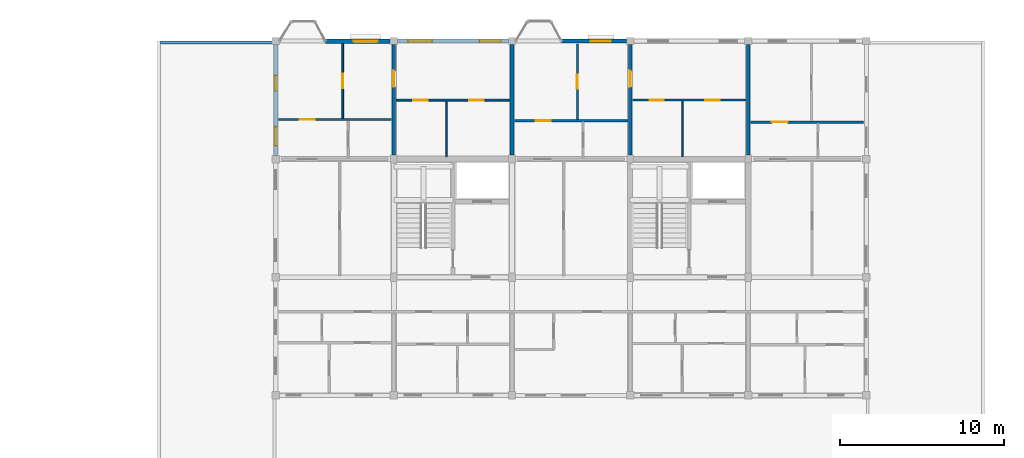
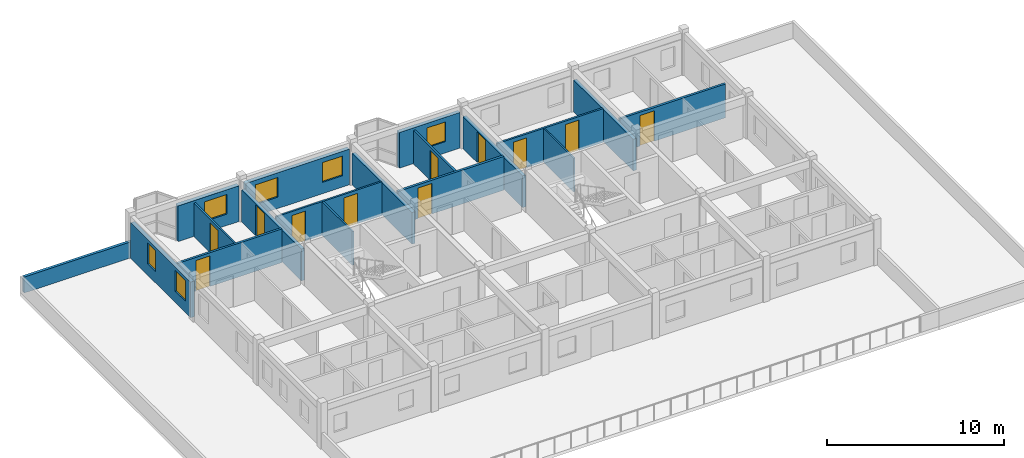
# One storey, part 35 of 40: 18 walls, 11 doors, 6 windows, 17 openings.
"""IFC4 building model written with IfcOpenShell, lengths in metres."""

from ifc_helpers import new_model, si_unit, direction, frame, frame_2d, origin, place, context, subcontext, project, spatial, rectangle, extrude, material, layer, layer_set, type_object, element, fill, save


model = new_model("IFC4")

# Units and contexts
model_context = context("Model", 3, precision=1e-05, world=origin(), true_north=direction((0.0, 1.0)))
body_context = subcontext(model_context, "Body", "Model", "MODEL_VIEW")
ifc_project = project(units=[si_unit("LENGTHUNIT", "METRE"), si_unit("AREAUNIT", "SQUARE_METRE"), si_unit("VOLUMEUNIT", "CUBIC_METRE"), si_unit("PLANEANGLEUNIT", "RADIAN"), si_unit("MASSUNIT", "GRAM", prefix="KILO"), si_unit("THERMODYNAMICTEMPERATUREUNIT", "KELVIN"), si_unit("POWERUNIT", "WATT")], contexts=[model_context])

# Site, building, storey
site_placement = place(None, origin())
site = spatial("IfcSite", under=ifc_project, at=site_placement, CompositionType="ELEMENT")
building_placement = place(site_placement, origin())
building = spatial("IfcBuilding", under=site, at=building_placement, Name="Tavuni Mirador Residences", CompositionType="ELEMENT")
storey_placement = place(building_placement, frame((0.0, 0.0, 36.0)))
storey = spatial("IfcBuildingStorey", under=building, at=storey_placement, Name="L11", CompositionType="ELEMENT", Elevation=36.0)

# Wall, opening, window
ifc_material_1 = material(Name="Sgraffito lime-rendered precast concrete C40/50", Category="concrete")
ifc_layer_1 = layer(ifc_material_1, 0.2451171875, Name="Sgraffito lime-rendered precast concrete C40/50", Category="concrete")
ifc_layer_set_1 = layer_set([ifc_layer_1], Name="Sgraffito lime-rendered precast concrete C40/50")
wall_type_1 = type_object("IfcWallType", Name="WT-EXT-PC245", PredefinedType="SOLIDWALL", material=ifc_layer_set_1)
wall_1_placement = place(storey_placement, frame((39.375, 172.800048828125, 0.0), z_axis=(0.0, 0.0, 1.0), x_axis=(-1.0, 0.0, 0.0)))
wall_1 = element("IfcWall", 1, at=wall_1_placement, inside=storey, type_object=wall_type_1, Name="EW-BLK-C-L11-N02", PredefinedType="SOLIDWALL", context=body_context, shape_type="SweptSolid", body=[
    extrude(rectangle(XDim=3.955078125, YDim=0.2451171875, at=frame_2d((1.9775390625, 0.0))), origin(), (0.0, 0.0, 1.0), 2.455078125),
])
opening_1_placement = place(wall_1_placement, frame((0.9423828125, 0.0, 0.780029296875)))
opening_1 = element("IfcOpeningElement", 2, at=opening_1_placement, cuts=wall_1, Name="Opening WN-21", PredefinedType="OPENING", context=body_context, shape_type="SweptSolid", body=[
    extrude(rectangle(XDim=1.219970703125, YDim=1.360107421875, at=frame_2d((0.60986328125, 0.68017578125))), frame((0.0, 0.132568359375, 0.0), z_axis=(0.0, -1.0, 0.0), x_axis=(1.0, 0.0, 0.0)), (0.0, 0.0, 1.0), 0.26513671875),
])
ifc_material_2 = material(Name="Laminated solar-control glass", Category="glass")
window_type_1 = type_object("IfcWindowType", Name="WNT-21", PartitioningType="SINGLE_PANEL", PredefinedType="WINDOW", material=ifc_material_2)
window_1_placement = place(opening_1_placement, origin())
window_1 = element("IfcWindow", 3, at=window_1_placement, inside=storey, type_object=window_type_1, Name="WIN-1329", OverallHeight=1.360107421875, OverallWidth=1.219970703125, PartitioningType="SINGLE_PANEL", PredefinedType="WINDOW", context=body_context, shape_type="SweptSolid", body=[
    extrude(rectangle(XDim=1.219970703125, YDim=1.360107421875, at=frame_2d((0.60986328125, 0.68017578125))), frame((0.0, 0.030029296875, 0.0), z_axis=(0.0, -1.0, 0.0), x_axis=(1.0, 0.0, 0.0)), (0.0, 0.0, 1.0), 0.06005859375),
])
fill(opening_1, window_1)

# Wall, openings, windows
wall_2_placement = place(storey_placement, frame((18.0, 172.574951171875, 0.0), z_axis=(0.0, 0.0, 1.0), x_axis=(0.0, -1.0, 0.0)))
wall_2 = element("IfcWall", 4, at=wall_2_placement, inside=storey, type_object=wall_type_1, Name="EW-BLK-C-L11-W02", PredefinedType="SOLIDWALL", context=body_context, shape_type="SweptSolid", body=[
    extrude(rectangle(XDim=6.75, YDim=0.2451171875, at=frame_2d((3.375, 0.0))), origin(), (0.0, 0.0, 1.0), 2.455078125),
])
opening_2_placement = place(wall_2_placement, frame((1.87744140625, 0.0, 0.780029296875)))
opening_2 = element("IfcOpeningElement", 5, at=opening_2_placement, cuts=wall_2, Name="Opening WN-25", PredefinedType="OPENING", context=body_context, shape_type="SweptSolid", body=[
    extrude(rectangle(XDim=0.93994140625, YDim=1.43994140625, at=frame_2d((0.469970703125, 0.719970703125))), frame((0.0, 0.132568359375, 0.0), z_axis=(0.0, -1.0, 0.0), x_axis=(1.0, 0.0, 0.0)), (0.0, 0.0, 1.0), 0.26513671875),
])
opening_3_placement = place(wall_2_placement, frame((5.007568359375, 0.0, 0.780029296875)))
opening_3 = element("IfcOpeningElement", 6, at=opening_3_placement, cuts=wall_2, Name="Opening WN-27", PredefinedType="OPENING", context=body_context, shape_type="SweptSolid", body=[
    extrude(rectangle(XDim=1.14990234375, YDim=1.43994140625, at=frame_2d((0.574951171875, 0.719970703125))), frame((0.0, 0.132568359375, 0.0), z_axis=(0.0, -1.0, 0.0), x_axis=(1.0, 0.0, 0.0)), (0.0, 0.0, 1.0), 0.26513671875),
])
window_type_2 = type_object("IfcWindowType", Name="WNT-25", PartitioningType="SINGLE_PANEL", PredefinedType="WINDOW", material=ifc_material_2)
window_2_placement = place(opening_2_placement, origin())
window_2 = element("IfcWindow", 7, at=window_2_placement, inside=storey, type_object=window_type_2, Name="WIN-1333", OverallHeight=1.43994140625, OverallWidth=0.93994140625, PartitioningType="SINGLE_PANEL", PredefinedType="WINDOW", context=body_context, shape_type="SweptSolid", body=[
    extrude(rectangle(XDim=0.93994140625, YDim=1.43994140625, at=frame_2d((0.469970703125, 0.719970703125))), frame((0.0, 0.030029296875, 0.0), z_axis=(0.0, -1.0, 0.0), x_axis=(1.0, 0.0, 0.0)), (0.0, 0.0, 1.0), 0.06005859375),
])
fill(opening_2, window_2)
window_type_3 = type_object("IfcWindowType", Name="WNT-27", PartitioningType="SINGLE_PANEL", PredefinedType="WINDOW", material=ifc_material_2)
window_3_placement = place(opening_3_placement, origin())
window_3 = element("IfcWindow", 8, at=window_3_placement, inside=storey, type_object=window_type_3, Name="WIN-1334", OverallHeight=1.43994140625, OverallWidth=1.14990234375, PartitioningType="SINGLE_PANEL", PredefinedType="WINDOW", context=body_context, shape_type="SweptSolid", body=[
    extrude(rectangle(XDim=1.14990234375, YDim=1.43994140625, at=frame_2d((0.574951171875, 0.719970703125))), frame((0.0, 0.030029296875, 0.0), z_axis=(0.0, -1.0, 0.0), x_axis=(1.0, 0.0, 0.0)), (0.0, 0.0, 1.0), 0.06005859375),
])
fill(opening_3, window_3)

ifc_layer_2 = layer(ifc_material_1, 0.2548828125, Name="Sgraffito lime-rendered precast concrete C40/50", Category="concrete")
ifc_layer_set_2 = layer_set([ifc_layer_2], Name="Sgraffito lime-rendered precast concrete C40/50")
wall_type_2 = type_object("IfcWallType", Name="WT-EXT-PC255", PredefinedType="SOLIDWALL", material=ifc_layer_set_2)
wall_3_placement = place(storey_placement, frame((32.175048828125, 172.800048828125, 0.0), z_axis=(0.0, 0.0, 1.0), x_axis=(-1.0, 0.0, 0.0)))
wall_3 = element("IfcWall", 9, at=wall_3_placement, inside=storey, type_object=wall_type_2, Name="EW-BLK-C-L11-N01", PredefinedType="SOLIDWALL", context=body_context, shape_type="SweptSolid", body=[
    extrude(rectangle(XDim=6.75, YDim=0.2548828125, at=frame_2d((3.375, 0.0))), origin(), (0.0, 0.0, 1.0), 2.455078125),
])
opening_4_placement = place(wall_3_placement, frame((0.449951171875, 0.0, 0.780029296875)))
opening_4 = element("IfcOpeningElement", 10, at=opening_4_placement, cuts=wall_3, Name="Opening WN-22", PredefinedType="OPENING", context=body_context, shape_type="SweptSolid", body=[
    extrude(rectangle(XDim=1.300048828125, YDim=1.360107421875, at=frame_2d((0.64990234375, 0.68017578125))), frame((0.0, 0.137451171875, 0.0), z_axis=(0.0, -1.0, 0.0), x_axis=(1.0, 0.0, 0.0)), (0.0, 0.0, 1.0), 0.27490234375),
])
opening_5_placement = place(wall_3_placement, frame((4.64990234375, 0.0, 0.780029296875)))
opening_5 = element("IfcOpeningElement", 11, at=opening_5_placement, cuts=wall_3, Name="Opening WN-24", PredefinedType="OPENING", context=body_context, shape_type="SweptSolid", body=[
    extrude(rectangle(XDim=1.4599609375, YDim=1.360107421875, at=frame_2d((0.72998046875, 0.68017578125))), frame((0.0, 0.137451171875, 0.0), z_axis=(0.0, -1.0, 0.0), x_axis=(1.0, 0.0, 0.0)), (0.0, 0.0, 1.0), 0.27490234375),
])
window_type_4 = type_object("IfcWindowType", Name="WNT-22", PartitioningType="SINGLE_PANEL", PredefinedType="WINDOW", material=ifc_material_2)
window_4_placement = place(opening_4_placement, origin())
window_4 = element("IfcWindow", 12, at=window_4_placement, inside=storey, type_object=window_type_4, Name="WIN-1330", OverallHeight=1.360107421875, OverallWidth=1.300048828125, PartitioningType="SINGLE_PANEL", PredefinedType="WINDOW", context=body_context, shape_type="SweptSolid", body=[
    extrude(rectangle(XDim=1.300048828125, YDim=1.360107421875, at=frame_2d((0.64990234375, 0.68017578125))), frame((0.0, 0.030029296875, 0.0), z_axis=(0.0, -1.0, 0.0), x_axis=(1.0, 0.0, 0.0)), (0.0, 0.0, 1.0), 0.06005859375),
])
fill(opening_4, window_4)
window_type_5 = type_object("IfcWindowType", Name="WNT-24", PartitioningType="SINGLE_PANEL", PredefinedType="WINDOW", material=ifc_material_2)
window_5_placement = place(opening_5_placement, origin())
window_5 = element("IfcWindow", 13, at=window_5_placement, inside=storey, type_object=window_type_5, Name="WIN-1331", OverallHeight=1.360107421875, OverallWidth=1.4599609375, PartitioningType="SINGLE_PANEL", PredefinedType="WINDOW", context=body_context, shape_type="SweptSolid", body=[
    extrude(rectangle(XDim=1.4599609375, YDim=1.360107421875, at=frame_2d((0.72998046875, 0.68017578125))), frame((0.0, 0.030029296875, 0.0), z_axis=(0.0, -1.0, 0.0), x_axis=(1.0, 0.0, 0.0)), (0.0, 0.0, 1.0), 0.06005859375),
])
fill(opening_5, window_5)

# Wall, opening, window
ifc_layer_3 = layer(ifc_material_1, 0.27490234375, Name="Sgraffito lime-rendered precast concrete C40/50", Category="concrete")
ifc_layer_set_3 = layer_set([ifc_layer_3], Name="Sgraffito lime-rendered precast concrete C40/50")
wall_type_3 = type_object("IfcWallType", Name="WT-EXT-PC275", PredefinedType="SOLIDWALL", material=ifc_layer_set_3)
wall_4_placement = place(storey_placement, frame((24.97509765625, 172.800048828125, 0.0), z_axis=(0.0, 0.0, 1.0), x_axis=(-1.0, 0.0, 0.0)))
wall_4 = element("IfcWall", 14, at=wall_4_placement, inside=storey, type_object=wall_type_3, Name="EW-BLK-C-L11-N00", PredefinedType="SOLIDWALL", context=body_context, shape_type="SweptSolid", body=[
    extrude(rectangle(XDim=3.955078125, YDim=0.27490234375, at=frame_2d((1.9775390625, 0.0))), origin(), (0.0, 0.0, 1.0), 2.455078125),
])
opening_6_placement = place(wall_4_placement, frame((0.7724609375, 0.0, 0.780029296875)))
opening_6 = element("IfcOpeningElement", 15, at=opening_6_placement, cuts=wall_4, Name="Opening WN-24", PredefinedType="OPENING", context=body_context, shape_type="SweptSolid", body=[
    extrude(rectangle(XDim=1.4599609375, YDim=1.360107421875, at=frame_2d((0.72998046875, 0.68017578125))), frame((0.0, 0.1474609375, 0.0), z_axis=(0.0, -1.0, 0.0), x_axis=(1.0, 0.0, 0.0)), (0.0, 0.0, 1.0), 0.294921875),
])
window_6_placement = place(opening_6_placement, origin())
window_6 = element("IfcWindow", 16, at=window_6_placement, inside=storey, type_object=window_type_5, Name="WIN-1332", OverallHeight=1.360107421875, OverallWidth=1.4599609375, PartitioningType="SINGLE_PANEL", PredefinedType="WINDOW", context=body_context, shape_type="SweptSolid", body=[
    extrude(rectangle(XDim=1.4599609375, YDim=1.360107421875, at=frame_2d((0.72998046875, 0.68017578125))), frame((0.0, 0.030029296875, 0.0), z_axis=(0.0, -1.0, 0.0), x_axis=(1.0, 0.0, 0.0)), (0.0, 0.0, 1.0), 0.06005859375),
])
fill(opening_6, window_6)

# Walls
ifc_material_3 = material(Name="Precast concrete C40/50", Category="concrete")
ifc_layer_4 = layer(ifc_material_3, 0.175048828125, Name="Precast concrete C40/50", Category="concrete")
ifc_layer_set_4 = layer_set([ifc_layer_4], Name="Precast concrete C40/50")
wall_type_4 = type_object("IfcWallType", Name="WT-PAR175", PredefinedType="PARAPET", material=ifc_layer_set_4)
wall_5_placement = place(storey_placement, frame((10.97509765625, 172.71240234375, 0.0), z_axis=(0.0, 0.0, 1.0), x_axis=(1.0, 0.0, 0.0)))
element("IfcWall", 17, at=wall_5_placement, inside=storey, type_object=wall_type_4, Name="Setback roof parapet ROOF-C-L11-W N", PredefinedType="PARAPET", context=body_context, shape_type="SweptSolid", body=[
    extrude(rectangle(XDim=7.02490234375, YDim=0.175048828125, at=frame_2d((3.512451171875, 0.0))), origin(), (0.0, 0.0, 1.0), 1.10009765625),
])
ifc_material_4 = material(Name="Acoustic gypsum and concrete block partition", Category="concrete")
ifc_layer_5 = layer(ifc_material_4, 0.094970703125, Name="Acoustic gypsum and concrete block partition", Category="concrete")
ifc_layer_set_5 = layer_set([ifc_layer_5], Name="Acoustic gypsum and concrete block partition")
wall_type_5 = type_object("IfcWallType", Name="WT-PART095", PredefinedType="PARTITIONING", material=ifc_layer_set_5)
wall_6_placement = place(storey_placement, frame((42.800048828125, 165.739990234375, 0.0), z_axis=(0.0, 0.0, 1.0), x_axis=(0.0, 1.0, 0.0)))
element("IfcWall", 18, at=wall_6_placement, inside=storey, type_object=wall_type_5, Name="PW-BLK-C-L11-NC03-V", PredefinedType="PARTITIONING", context=body_context, shape_type="SweptSolid", body=[
    extrude(rectangle(XDim=3.389892578125, YDim=0.094970703125, at=frame_2d((1.69482421875, 0.0))), origin(), (0.0, 0.0, 1.0), 2.320068359375),
])
ifc_layer_6 = layer(ifc_material_4, 0.10498046875, Name="Acoustic gypsum and concrete block partition", Category="concrete")
ifc_layer_set_6 = layer_set([ifc_layer_6], Name="Acoustic gypsum and concrete block partition")
wall_type_6 = type_object("IfcWallType", Name="WT-PART105", PredefinedType="PARTITIONING", material=ifc_layer_set_6)
wall_7_placement = place(storey_placement, frame((28.39990234375, 165.739990234375, 0.0), z_axis=(0.0, 0.0, 1.0), x_axis=(0.0, 1.0, 0.0)))
element("IfcWall", 19, at=wall_7_placement, inside=storey, type_object=wall_type_6, Name="PW-BLK-C-L11-NC01-V", PredefinedType="PARTITIONING", context=body_context, shape_type="SweptSolid", body=[
    extrude(rectangle(XDim=3.389892578125, YDim=0.10498046875, at=frame_2d((1.69482421875, 0.0))), origin(), (0.0, 0.0, 1.0), 2.320068359375),
])

# Wall, opening, door
ifc_layer_7 = layer(ifc_material_4, 0.114990234375, Name="Acoustic gypsum and concrete block partition", Category="concrete")
ifc_layer_set_7 = layer_set([ifc_layer_7], Name="Acoustic gypsum and concrete block partition")
wall_type_7 = type_object("IfcWallType", Name="WT-PART115", PredefinedType="PARTITIONING", material=ifc_layer_set_7)
wall_8_placement = place(storey_placement, frame((22.080078125, 168.090087890625, 0.0), z_axis=(0.0, 0.0, 1.0), x_axis=(0.0, 1.0, 0.0)))
wall_8 = element("IfcWall", 20, at=wall_8_placement, inside=storey, type_object=wall_type_7, Name="PW-BLK-C-L11-N00-OUT", PredefinedType="PARTITIONING", context=body_context, shape_type="SweptSolid", body=[
    extrude(rectangle(XDim=4.534912109375, YDim=0.114990234375, at=frame_2d((2.267578125, 0.0))), origin(), (0.0, 0.0, 1.0), 2.320068359375),
])
opening_7_placement = place(wall_8_placement, frame((1.827392578125, 0.0, 0.0)))
opening_7 = element("IfcOpeningElement", 21, at=opening_7_placement, cuts=wall_8, Name="Opening D-08", PredefinedType="OPENING", context=body_context, shape_type="SweptSolid", body=[
    extrude(rectangle(XDim=0.8798828125, YDim=2.080078125, at=frame_2d((0.43994140625, 1.0400390625))), frame((0.0, 0.0673828125, 0.0), z_axis=(0.0, -1.0, 0.0), x_axis=(1.0, 0.0, 0.0)), (0.0, 0.0, 1.0), 0.135009765625),
])
ifc_material_5 = material(Name="Solid core iroko timber", Category="wood")
door_type_1 = type_object("IfcDoorType", Name="DT-BED880", OperationType="NOTDEFINED", PredefinedType="DOOR", material=ifc_material_5)
door_1_placement = place(opening_7_placement, origin())
door_1 = element("IfcDoor", 22, at=door_1_placement, inside=storey, type_object=door_type_1, Name="DR-4202", OperationType="SINGLE_SWING_LEFT", OverallHeight=2.080078125, OverallWidth=0.8798828125, PredefinedType="DOOR", context=body_context, shape_type="SweptSolid", body=[
    extrude(rectangle(XDim=0.8798828125, YDim=2.080078125, at=frame_2d((0.43994140625, 1.0400390625))), frame((0.0, 0.02490234375, 0.0), z_axis=(0.0, -1.0, 0.0), x_axis=(1.0, 0.0, 0.0)), (0.0, 0.0, 1.0), 0.050048828125),
])
fill(opening_7, door_1)

# Wall, openings, doors
wall_9_placement = place(storey_placement, frame((25.340087890625, 169.199951171875, 0.0), z_axis=(0.0, 0.0, 1.0), x_axis=(1.0, 0.0, 0.0)))
wall_9 = element("IfcWall", 23, at=wall_9_placement, inside=storey, type_object=wall_type_7, Name="PW-BLK-C-L11-NC01-M", PredefinedType="PARTITIONING", context=body_context, shape_type="SweptSolid", body=[
    extrude(rectangle(XDim=6.919921875, YDim=0.114990234375, at=frame_2d((3.4599609375, 0.0))), origin(), (0.0, 0.0, 1.0), 2.320068359375),
])
opening_8_placement = place(wall_9_placement, frame((1.050048828125, 0.0, 0.0)))
opening_8 = element("IfcOpeningElement", 24, at=opening_8_placement, cuts=wall_9, Name="Opening D-10", PredefinedType="OPENING", context=body_context, shape_type="SweptSolid", body=[
    extrude(rectangle(XDim=0.8701171875, YDim=2.050048828125, at=frame_2d((0.43505859375, 1.02490234375))), frame((0.0, 0.0673828125, 0.0), z_axis=(0.0, -1.0, 0.0), x_axis=(1.0, 0.0, 0.0)), (0.0, 0.0, 1.0), 0.135009765625),
])
opening_9_placement = place(wall_9_placement, frame((4.449951171875, 0.0, 0.0)))
opening_9 = element("IfcOpeningElement", 25, at=opening_9_placement, cuts=wall_9, Name="Opening D-08", PredefinedType="OPENING", context=body_context, shape_type="SweptSolid", body=[
    extrude(rectangle(XDim=0.8798828125, YDim=2.080078125, at=frame_2d((0.43994140625, 1.0400390625))), frame((0.0, 0.0673828125, 0.0), z_axis=(0.0, -1.0, 0.0), x_axis=(1.0, 0.0, 0.0)), (0.0, 0.0, 1.0), 0.135009765625),
])
door_2_placement = place(opening_9_placement, origin())
door_2 = element("IfcDoor", 26, at=door_2_placement, inside=storey, type_object=door_type_1, Name="DR-4209", OperationType="SINGLE_SWING_RIGHT", OverallHeight=2.080078125, OverallWidth=0.8798828125, PredefinedType="DOOR", context=body_context, shape_type="SweptSolid", body=[
    extrude(rectangle(XDim=0.8798828125, YDim=2.080078125, at=frame_2d((0.43994140625, 1.0400390625))), frame((0.0, 0.02490234375, 0.0), z_axis=(0.0, -1.0, 0.0), x_axis=(1.0, 0.0, 0.0)), (0.0, 0.0, 1.0), 0.050048828125),
])
fill(opening_9, door_2)
door_type_2 = type_object("IfcDoorType", Name="DT-WC870", OperationType="NOTDEFINED", PredefinedType="DOOR", material=ifc_material_5)
door_3_placement = place(opening_8_placement, origin())
door_3 = element("IfcDoor", 27, at=door_3_placement, inside=storey, type_object=door_type_2, Name="DR-4208", OperationType="SINGLE_SWING_LEFT", OverallHeight=2.050048828125, OverallWidth=0.8701171875, PredefinedType="DOOR", context=body_context, shape_type="SweptSolid", body=[
    extrude(rectangle(XDim=0.8701171875, YDim=2.050048828125, at=frame_2d((0.43505859375, 1.02490234375))), frame((0.0, 0.02490234375, 0.0), z_axis=(0.0, -1.0, 0.0), x_axis=(1.0, 0.0, 0.0)), (0.0, 0.0, 1.0), 0.050048828125),
])
fill(opening_8, door_3)

# Wall, opening, door
ifc_layer_8 = layer(ifc_material_4, 0.125, Name="Acoustic gypsum and concrete block partition", Category="concrete")
ifc_layer_set_8 = layer_set([ifc_layer_8], Name="Acoustic gypsum and concrete block partition")
wall_type_8 = type_object("IfcWallType", Name="WT-PART125", PredefinedType="PARTITIONING", material=ifc_layer_set_8)
wall_10_placement = place(storey_placement, frame((36.3798828125, 168.010009765625, 0.0), z_axis=(0.0, 0.0, 1.0), x_axis=(0.0, 1.0, 0.0)))
wall_10 = element("IfcWall", 28, at=wall_10_placement, inside=storey, type_object=wall_type_8, Name="PW-BLK-C-L11-N02-OUT", PredefinedType="PARTITIONING", context=body_context, shape_type="SweptSolid", body=[
    extrude(rectangle(XDim=4.614990234375, YDim=0.125, at=frame_2d((2.3076171875, 0.0))), origin(), (0.0, 0.0, 1.0), 2.320068359375),
])
opening_10_placement = place(wall_10_placement, frame((1.867431640625, 0.0, 0.0)))
opening_10 = element("IfcOpeningElement", 29, at=opening_10_placement, cuts=wall_10, Name="Opening D-08", PredefinedType="OPENING", context=body_context, shape_type="SweptSolid", body=[
    extrude(rectangle(XDim=0.8798828125, YDim=2.080078125, at=frame_2d((0.43994140625, 1.0400390625))), frame((0.0, 0.072509765625, 0.0), z_axis=(0.0, -1.0, 0.0), x_axis=(1.0, 0.0, 0.0)), (0.0, 0.0, 1.0), 0.14501953125),
])
door_4_placement = place(opening_10_placement, origin())
door_4 = element("IfcDoor", 30, at=door_4_placement, inside=storey, type_object=door_type_1, Name="DR-4212", OperationType="SINGLE_SWING_LEFT", OverallHeight=2.080078125, OverallWidth=0.8798828125, PredefinedType="DOOR", context=body_context, shape_type="SweptSolid", body=[
    extrude(rectangle(XDim=0.8798828125, YDim=2.080078125, at=frame_2d((0.43994140625, 1.0400390625))), frame((0.0, 0.02490234375, 0.0), z_axis=(0.0, -1.0, 0.0), x_axis=(1.0, 0.0, 0.0)), (0.0, 0.0, 1.0), 0.050048828125),
])
fill(opening_10, door_4)

# Wall, openings, doors
wall_11_placement = place(storey_placement, frame((39.739990234375, 169.199951171875, 0.0), z_axis=(0.0, 0.0, 1.0), x_axis=(1.0, 0.0, 0.0)))
wall_11 = element("IfcWall", 31, at=wall_11_placement, inside=storey, type_object=wall_type_8, Name="PW-BLK-C-L11-NC03-M", PredefinedType="PARTITIONING", context=body_context, shape_type="SweptSolid", body=[
    extrude(rectangle(XDim=6.919921875, YDim=0.125, at=frame_2d((3.4599609375, 0.0))), origin(), (0.0, 0.0, 1.0), 2.320068359375),
])
opening_11_placement = place(wall_11_placement, frame((1.050048828125, 0.0, 0.0)))
opening_11 = element("IfcOpeningElement", 32, at=opening_11_placement, cuts=wall_11, Name="Opening D-10", PredefinedType="OPENING", context=body_context, shape_type="SweptSolid", body=[
    extrude(rectangle(XDim=0.8701171875, YDim=2.050048828125, at=frame_2d((0.43505859375, 1.02490234375))), frame((0.0, 0.072509765625, 0.0), z_axis=(0.0, -1.0, 0.0), x_axis=(1.0, 0.0, 0.0)), (0.0, 0.0, 1.0), 0.14501953125),
])
opening_12_placement = place(wall_11_placement, frame((4.449951171875, 0.0, 0.0)))
opening_12 = element("IfcOpeningElement", 33, at=opening_12_placement, cuts=wall_11, Name="Opening D-08", PredefinedType="OPENING", context=body_context, shape_type="SweptSolid", body=[
    extrude(rectangle(XDim=0.8798828125, YDim=2.080078125, at=frame_2d((0.43994140625, 1.0400390625))), frame((0.0, 0.072509765625, 0.0), z_axis=(0.0, -1.0, 0.0), x_axis=(1.0, 0.0, 0.0)), (0.0, 0.0, 1.0), 0.14501953125),
])
door_5_placement = place(opening_12_placement, origin())
door_5 = element("IfcDoor", 34, at=door_5_placement, inside=storey, type_object=door_type_1, Name="DR-4219", OperationType="SINGLE_SWING_RIGHT", OverallHeight=2.080078125, OverallWidth=0.8798828125, PredefinedType="DOOR", context=body_context, shape_type="SweptSolid", body=[
    extrude(rectangle(XDim=0.8798828125, YDim=2.080078125, at=frame_2d((0.43994140625, 1.0400390625))), frame((0.0, 0.02490234375, 0.0), z_axis=(0.0, -1.0, 0.0), x_axis=(1.0, 0.0, 0.0)), (0.0, 0.0, 1.0), 0.050048828125),
])
fill(opening_12, door_5)
door_6_placement = place(opening_11_placement, origin())
door_6 = element("IfcDoor", 35, at=door_6_placement, inside=storey, type_object=door_type_2, Name="DR-4218", OperationType="SINGLE_SWING_LEFT", OverallHeight=2.050048828125, OverallWidth=0.8701171875, PredefinedType="DOOR", context=body_context, shape_type="SweptSolid", body=[
    extrude(rectangle(XDim=0.8701171875, YDim=2.050048828125, at=frame_2d((0.43505859375, 1.02490234375))), frame((0.0, 0.02490234375, 0.0), z_axis=(0.0, -1.0, 0.0), x_axis=(1.0, 0.0, 0.0)), (0.0, 0.0, 1.0), 0.050048828125),
])
fill(opening_11, door_6)

# Wall, opening, door
ifc_layer_9 = layer(ifc_material_4, 0.139892578125, Name="Acoustic gypsum and concrete block partition", Category="concrete")
ifc_layer_set_9 = layer_set([ifc_layer_9], Name="Acoustic gypsum and concrete block partition")
wall_type_9 = type_object("IfcWallType", Name="WT-PART140", PredefinedType="PARTITIONING", material=ifc_layer_set_9)
wall_12_placement = place(storey_placement, frame((18.175048828125, 168.02001953125, 0.0), z_axis=(0.0, 0.0, 1.0), x_axis=(1.0, 0.0, 0.0)))
wall_12 = element("IfcWall", 36, at=wall_12_placement, inside=storey, type_object=wall_type_9, Name="PW-BLK-C-L11-N00-MID", PredefinedType="PARTITIONING", context=body_context, shape_type="SweptSolid", body=[
    extrude(rectangle(XDim=6.885009765625, YDim=0.139892578125, at=frame_2d((3.4423828125, 0.0))), origin(), (0.0, 0.0, 1.0), 2.320068359375),
])
opening_13_placement = place(wall_12_placement, frame((1.27490234375, 0.0, 0.0)))
opening_13 = element("IfcOpeningElement", 37, at=opening_13_placement, cuts=wall_12, Name="Opening D-06", PredefinedType="OPENING", context=body_context, shape_type="SweptSolid", body=[
    extrude(rectangle(XDim=0.919921875, YDim=2.10009765625, at=frame_2d((0.4599609375, 1.050048828125))), frame((0.0, 0.080078125, 0.0), z_axis=(0.0, -1.0, 0.0), x_axis=(1.0, 0.0, 0.0)), (0.0, 0.0, 1.0), 0.159912109375),
])
door_type_3 = type_object("IfcDoorType", Name="DT-INT920", OperationType="NOTDEFINED", PredefinedType="DOOR", material=ifc_material_5)
door_7_placement = place(opening_13_placement, origin())
door_7 = element("IfcDoor", 38, at=door_7_placement, inside=storey, type_object=door_type_3, Name="DR-4204", OperationType="SINGLE_SWING_RIGHT", OverallHeight=2.10009765625, OverallWidth=0.919921875, PredefinedType="DOOR", context=body_context, shape_type="SweptSolid", body=[
    extrude(rectangle(XDim=0.919921875, YDim=2.10009765625, at=frame_2d((0.4599609375, 1.050048828125))), frame((0.0, 0.02490234375, 0.0), z_axis=(0.0, -1.0, 0.0), x_axis=(1.0, 0.0, 0.0)), (0.0, 0.0, 1.0), 0.050048828125),
])
fill(opening_13, door_7)

ifc_layer_10 = layer(ifc_material_4, 0.14990234375, Name="Acoustic gypsum and concrete block partition", Category="concrete")
ifc_layer_set_10 = layer_set([ifc_layer_10], Name="Acoustic gypsum and concrete block partition")
wall_type_10 = type_object("IfcWallType", Name="WT-PART150", PredefinedType="PARTITIONING", material=ifc_layer_set_10)
wall_13_placement = place(storey_placement, frame((32.5400390625, 167.93994140625, 0.0), z_axis=(0.0, 0.0, 1.0), x_axis=(1.0, 0.0, 0.0)))
wall_13 = element("IfcWall", 39, at=wall_13_placement, inside=storey, type_object=wall_type_10, Name="PW-BLK-C-L11-N02-MID", PredefinedType="PARTITIONING", context=body_context, shape_type="SweptSolid", body=[
    extrude(rectangle(XDim=6.919921875, YDim=0.14990234375, at=frame_2d((3.4599609375, 0.0))), origin(), (0.0, 0.0, 1.0), 2.320068359375),
])
opening_14_placement = place(wall_13_placement, frame((1.31005859375, 0.0, 0.0)))
opening_14 = element("IfcOpeningElement", 40, at=opening_14_placement, cuts=wall_13, Name="Opening D-06", PredefinedType="OPENING", context=body_context, shape_type="SweptSolid", body=[
    extrude(rectangle(XDim=0.919921875, YDim=2.10009765625, at=frame_2d((0.4599609375, 1.050048828125))), frame((0.0, 0.0849609375, 0.0), z_axis=(0.0, -1.0, 0.0), x_axis=(1.0, 0.0, 0.0)), (0.0, 0.0, 1.0), 0.169921875),
])
door_8_placement = place(opening_14_placement, origin())
door_8 = element("IfcDoor", 41, at=door_8_placement, inside=storey, type_object=door_type_3, Name="DR-4214", OperationType="SINGLE_SWING_RIGHT", OverallHeight=2.10009765625, OverallWidth=0.919921875, PredefinedType="DOOR", context=body_context, shape_type="SweptSolid", body=[
    extrude(rectangle(XDim=0.919921875, YDim=2.10009765625, at=frame_2d((0.4599609375, 1.050048828125))), frame((0.0, 0.02490234375, 0.0), z_axis=(0.0, -1.0, 0.0), x_axis=(1.0, 0.0, 0.0)), (0.0, 0.0, 1.0), 0.050048828125),
])
fill(opening_14, door_8)

wall_14_placement = place(storey_placement, frame((46.93994140625, 167.860107421875, 0.0), z_axis=(0.0, 0.0, 1.0), x_axis=(1.0, 0.0, 0.0)))
wall_14 = element("IfcWall", 42, at=wall_14_placement, inside=storey, type_object=wall_type_10, Name="PW-BLK-C-L11-N04-MID", PredefinedType="PARTITIONING", context=body_context, shape_type="SweptSolid", body=[
    extrude(rectangle(XDim=6.885009765625, YDim=0.14990234375, at=frame_2d((3.4423828125, 0.0))), origin(), (0.0, 0.0, 1.0), 2.320068359375),
])
opening_15_placement = place(wall_14_placement, frame((1.31005859375, 0.0, 0.0)))
opening_15 = element("IfcOpeningElement", 43, at=opening_15_placement, cuts=wall_14, Name="Opening D-05", PredefinedType="OPENING", context=body_context, shape_type="SweptSolid", body=[
    extrude(rectangle(XDim=0.949951171875, YDim=2.10009765625, at=frame_2d((0.47509765625, 1.050048828125))), frame((0.0, 0.0849609375, 0.0), z_axis=(0.0, -1.0, 0.0), x_axis=(1.0, 0.0, 0.0)), (0.0, 0.0, 1.0), 0.169921875),
])
door_type_4 = type_object("IfcDoorType", Name="DT-INT950", OperationType="NOTDEFINED", PredefinedType="DOOR", material=ifc_material_5)
door_9_placement = place(opening_15_placement, origin())
door_9 = element("IfcDoor", 44, at=door_9_placement, inside=storey, type_object=door_type_4, Name="DR-4226", OperationType="SINGLE_SWING_LEFT", OverallHeight=2.10009765625, OverallWidth=0.949951171875, PredefinedType="DOOR", context=body_context, shape_type="SweptSolid", body=[
    extrude(rectangle(XDim=0.949951171875, YDim=2.10009765625, at=frame_2d((0.47509765625, 1.050048828125))), frame((0.0, 0.02490234375, 0.0), z_axis=(0.0, -1.0, 0.0), x_axis=(1.0, 0.0, 0.0)), (0.0, 0.0, 1.0), 0.050048828125),
])
fill(opening_15, door_9)

ifc_layer_11 = layer(ifc_material_3, 0.215087890625, Name="Precast concrete C40/50", Category="concrete")
ifc_layer_set_11 = layer_set([ifc_layer_11], Name="Precast concrete C40/50")
wall_type_11 = type_object("IfcWallType", Name="WT-XW215", PredefinedType="SOLIDWALL", material=ifc_layer_set_11)
wall_15_placement = place(storey_placement, frame((25.199951171875, 165.85009765625, 0.0), z_axis=(0.0, 0.0, 1.0), x_axis=(0.0, 1.0, 0.0)))
wall_15 = element("IfcWall", 45, at=wall_15_placement, inside=storey, type_object=wall_type_11, Name="XW-BLK-C-L11-N-01", PredefinedType="SOLIDWALL", context=body_context, shape_type="SweptSolid", body=[
    extrude(rectangle(XDim=6.724853515625, YDim=0.215087890625, at=frame_2d((3.3623046875, 0.0))), origin(), (0.0, 0.0, 1.0), 2.18505859375),
])
opening_16_placement = place(wall_15_placement, frame((4.14990234375, 0.0, 0.0)))
opening_16 = element("IfcOpeningElement", 46, at=opening_16_placement, cuts=wall_15, Name="Opening D-04", PredefinedType="OPENING", context=body_context, shape_type="SweptSolid", body=[
    extrude(rectangle(XDim=0.97998046875, YDim=2.1201171875, at=frame_2d((0.489990234375, 1.06005859375))), frame((0.0, 0.11767578125, 0.0), z_axis=(0.0, -1.0, 0.0), x_axis=(1.0, 0.0, 0.0)), (0.0, 0.0, 1.0), 0.235107421875),
])
door_type_5 = type_object("IfcDoorType", Name="DT-FD60-980", OperationType="NOTDEFINED", PredefinedType="DOOR", material=ifc_material_5)
door_10_placement = place(opening_16_placement, origin())
door_10 = element("IfcDoor", 47, at=door_10_placement, inside=storey, type_object=door_type_5, Name="DR-4750", OperationType="SINGLE_SWING_LEFT", OverallHeight=2.1201171875, OverallWidth=0.97998046875, PredefinedType="DOOR", context=body_context, shape_type="SweptSolid", body=[
    extrude(rectangle(XDim=0.97998046875, YDim=2.1201171875, at=frame_2d((0.489990234375, 1.06005859375))), frame((0.0, 0.02490234375, 0.0), z_axis=(0.0, -1.0, 0.0), x_axis=(1.0, 0.0, 0.0)), (0.0, 0.0, 1.0), 0.050048828125),
])
fill(opening_16, door_10)

# Wall
wall_16_placement = place(storey_placement, frame((32.39990234375, 165.85009765625, 0.0), z_axis=(0.0, 0.0, 1.0), x_axis=(0.0, 1.0, 0.0)))
element("IfcWall", 48, at=wall_16_placement, inside=storey, type_object=wall_type_11, Name="XW-BLK-C-L11-N-02", PredefinedType="SOLIDWALL", context=body_context, shape_type="SweptSolid", body=[
    extrude(rectangle(XDim=6.724853515625, YDim=0.215087890625, at=frame_2d((3.3623046875, 0.0))), origin(), (0.0, 0.0, 1.0), 2.18505859375),
])

# Wall, opening, door
wall_17_placement = place(storey_placement, frame((39.60009765625, 165.85009765625, 0.0), z_axis=(0.0, 0.0, 1.0), x_axis=(0.0, 1.0, 0.0)))
wall_17 = element("IfcWall", 49, at=wall_17_placement, inside=storey, type_object=wall_type_11, Name="XW-BLK-C-L11-N-03", PredefinedType="SOLIDWALL", context=body_context, shape_type="SweptSolid", body=[
    extrude(rectangle(XDim=6.724853515625, YDim=0.215087890625, at=frame_2d((3.3623046875, 0.0))), origin(), (0.0, 0.0, 1.0), 2.18505859375),
])
opening_17_placement = place(wall_17_placement, frame((4.14990234375, 0.0, 0.0)))
opening_17 = element("IfcOpeningElement", 50, at=opening_17_placement, cuts=wall_17, Name="Opening D-04", PredefinedType="OPENING", context=body_context, shape_type="SweptSolid", body=[
    extrude(rectangle(XDim=0.97998046875, YDim=2.1201171875, at=frame_2d((0.489990234375, 1.06005859375))), frame((0.0, 0.11767578125, 0.0), z_axis=(0.0, -1.0, 0.0), x_axis=(1.0, 0.0, 0.0)), (0.0, 0.0, 1.0), 0.235107421875),
])
door_11_placement = place(opening_17_placement, origin())
door_11 = element("IfcDoor", 51, at=door_11_placement, inside=storey, type_object=door_type_5, Name="DR-4751", OperationType="SINGLE_SWING_RIGHT", OverallHeight=2.1201171875, OverallWidth=0.97998046875, PredefinedType="DOOR", context=body_context, shape_type="SweptSolid", body=[
    extrude(rectangle(XDim=0.97998046875, YDim=2.1201171875, at=frame_2d((0.489990234375, 1.06005859375))), frame((0.0, 0.02490234375, 0.0), z_axis=(0.0, -1.0, 0.0), x_axis=(1.0, 0.0, 0.0)), (0.0, 0.0, 1.0), 0.050048828125),
])
fill(opening_17, door_11)

# Wall
wall_18_placement = place(storey_placement, frame((46.800048828125, 165.85009765625, 0.0), z_axis=(0.0, 0.0, 1.0), x_axis=(0.0, 1.0, 0.0)))
element("IfcWall", 52, at=wall_18_placement, inside=storey, type_object=wall_type_11, Name="XW-BLK-C-L11-N-04", PredefinedType="SOLIDWALL", context=body_context, shape_type="SweptSolid", body=[
    extrude(rectangle(XDim=6.724853515625, YDim=0.215087890625, at=frame_2d((3.3623046875, 0.0))), origin(), (0.0, 0.0, 1.0), 2.18505859375),
])

save(model, "model.ifc")
